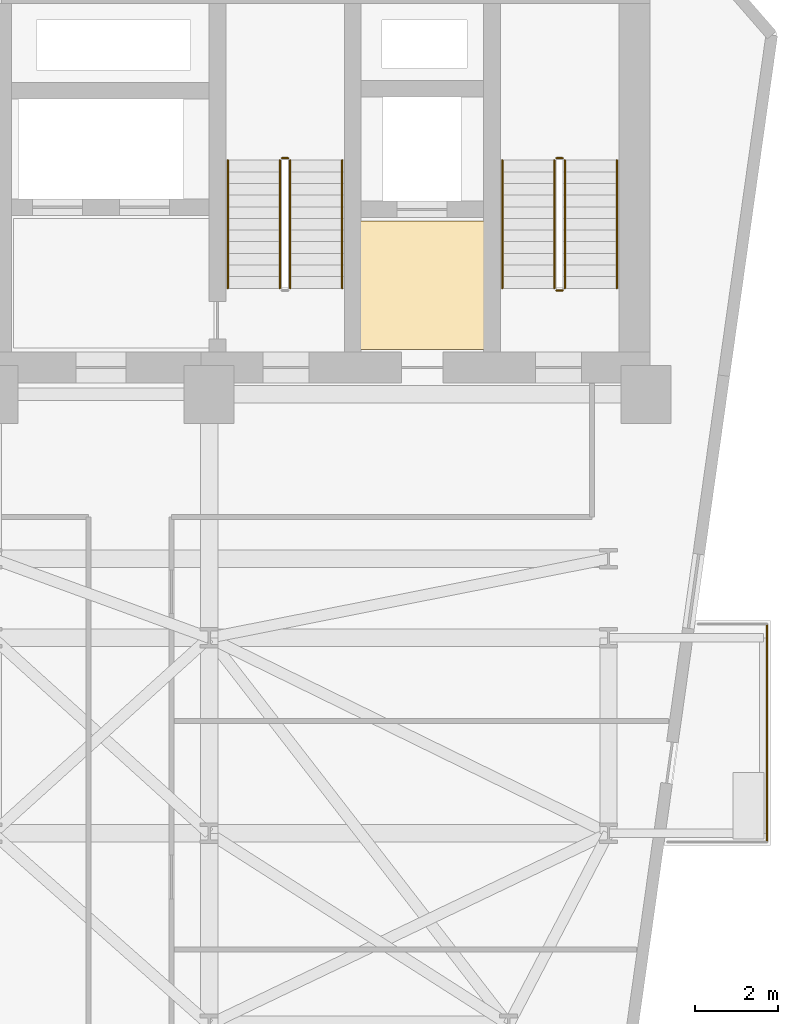
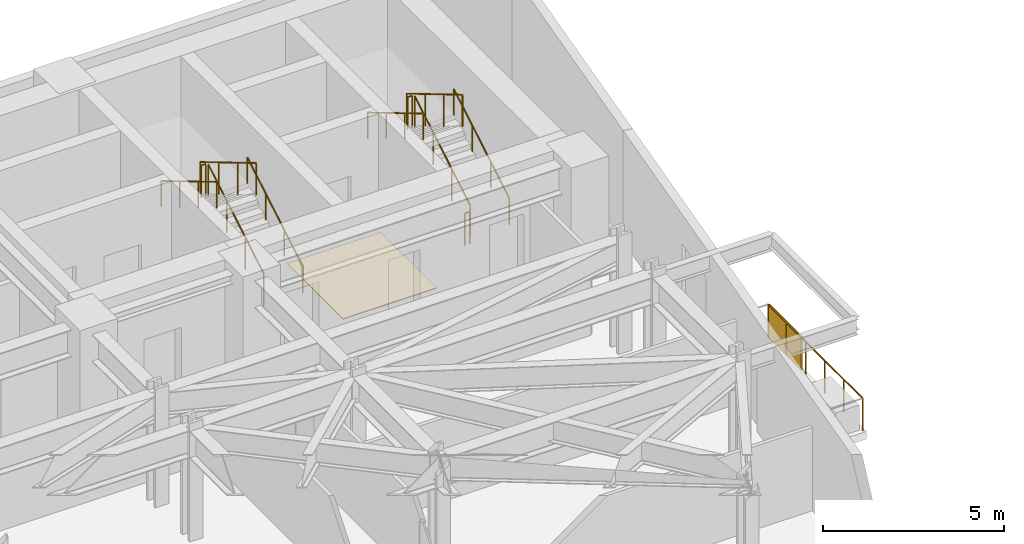
# One storey, part 25 of 25: 12 railings, 1 covering, 1 shading device.
"""IFC4 building model written with IfcOpenShell, lengths in metres."""

from ifc_helpers import new_model, si_unit, direction, frame, origin, origin_2d, place, context, subcontext, project, spatial, polyline, rectangle, circle, outline, extrude, material, layer, layer_set, type_object, element, save


model = new_model("IFC4")

# Units and contexts
model_context = context("Model", 3, precision=1e-05, world=origin(), true_north=direction((0.0, 1.0)))
body_context = subcontext(model_context, "Body", "Model", "MODEL_VIEW")
ifc_project = project(units=[si_unit("LENGTHUNIT", "METRE"), si_unit("AREAUNIT", "SQUARE_METRE"), si_unit("VOLUMEUNIT", "CUBIC_METRE"), si_unit("PLANEANGLEUNIT", "RADIAN"), si_unit("MASSUNIT", "GRAM", prefix="KILO")], contexts=[model_context])

# Site, building, storey
site_placement = place(None, origin())
site = spatial("IfcSite", under=ifc_project, at=site_placement, CompositionType="ELEMENT")
building_placement = place(site_placement, origin())
building = spatial("IfcBuilding", under=site, at=building_placement, Name="Kravanh Interchange Tower", CompositionType="ELEMENT")
storey_placement = place(building_placement, frame((0.0, 0.0, 65.5)))
storey = spatial("IfcBuildingStorey", under=building, at=storey_placement, Name="L15", CompositionType="ELEMENT", Elevation=65.5)

# Covering
ifc_material_1 = material(Name="Cementitious Terrazzo Tile")
ifc_layer_1 = layer(ifc_material_1, 0.030029296875)
ifc_layer_set_1 = layer_set([ifc_layer_1], Name="Honed Terrazzo Lobby Flooring 30mm")
covering_type = type_object("IfcCoveringType", Name="Honed Terrazzo Lobby Flooring 30mm", PredefinedType="FLOORING", material=ifc_layer_set_1)
covering_placement = place(storey_placement, origin())
element("IfcCovering", 1, at=covering_placement, inside=storey, type_object=covering_type, Name="L15 Service Lift Lobby Floor Finish", PredefinedType="FLOORING", context=body_context, shape_type="SweptSolid", body=[
    extrude(outline(polyline([(59.6298828125, 41.52001953125), (62.6201171875, 41.52001953125), (62.6201171875, 38.429931640625), (59.6298828125, 38.429931640625), (59.6298828125, 41.52001953125)])), origin(), (0.0, 0.0, 1.0), 0.030029296875),
])

# Shading device
ifc_material_2 = material(Name="Perforated Anodised Bronze Aluminium", Category="aluminium")
ifc_layer_2 = layer(ifc_material_2, 0.0400390625)
ifc_layer_set_2 = layer_set([ifc_layer_2], Name="Perforated Bronze Balcony Privacy Screen 1150mm")
shading_device_type = type_object("IfcShadingDeviceType", Name="Perforated Bronze Balcony Privacy Screen 1150mm", PredefinedType="USERDEFINED", material=ifc_layer_set_2)
shading_device_placement = place(storey_placement, frame((69.409912109375, 30.860107421875, 0.0), z_axis=(0.0, 0.0, 1.0), x_axis=(1.0, 0.0, 0.0)))
element("IfcShadingDevice", 2, at=shading_device_placement, inside=storey, type_object=shading_device_type, Name="L15 E Perforated Bronze BALCONY SCREEN", ObjectType="SCREEN", PredefinedType="USERDEFINED", context=body_context, shape_type="SweptSolid", body=[
    extrude(rectangle(XDim=0.0400390625, YDim=1.800048828125, at=origin_2d()), origin(), (0.0, 0.0, 1.0), 1.14990234375),
])

# Railings
ifc_material_3 = material(Name="Stainless Steel 316", Category="steel")
ifc_layer_3 = layer(ifc_material_3, 0.06005859375)
ifc_layer_set_3 = layer_set([ifc_layer_3], Name="Perimeter Balcony and Terrace Guardrail Stainless 316 1120mm")
railing_type_1 = type_object("IfcRailingType", Name="Perimeter Balcony and Terrace Guardrail Stainless 316 1120mm", PredefinedType="GUARDRAIL", material=ifc_layer_set_3)
railing_1_placement = place(storey_placement, frame((69.409912109375, 31.830078125, 0.0)))
element("IfcRailing", 3, at=railing_1_placement, inside=storey, type_object=railing_type_1, Name="L15 E Balcony Guardrail 1", PredefinedType="GUARDRAIL", context=body_context, shape_type="SweptSolid", body=[
    extrude(circle(Radius=0.02392578125, at=origin_2d()), frame((0.0, 0.0, 1.09619140625), z_axis=(0.0, -1.0, 0.0), x_axis=(1.0, 0.0, 0.0)), (0.0, 0.0, 1.0), 5.239990234375),
    extrude(circle(Radius=0.02099609375, at=origin_2d()), origin(), (0.0, 0.0, 1.0), 1.072021484375),
    extrude(circle(Radius=0.02099609375, at=origin_2d()), frame((0.0, -1.048095703125, 0.0)), (0.0, 0.0, 1.0), 1.072021484375),
    extrude(circle(Radius=0.02099609375, at=origin_2d()), frame((0.0, -2.095947265625, 0.0)), (0.0, 0.0, 1.0), 1.072021484375),
    extrude(circle(Radius=0.02099609375, at=origin_2d()), frame((0.0, -3.14404296875, 0.0)), (0.0, 0.0, 1.0), 1.072021484375),
    extrude(circle(Radius=0.02099609375, at=origin_2d()), frame((0.0, -4.19189453125, 0.0)), (0.0, 0.0, 1.0), 1.072021484375),
    extrude(circle(Radius=0.02099609375, at=origin_2d()), frame((0.0, -5.239990234375, 0.0)), (0.0, 0.0, 1.0), 1.072021484375),
])
ifc_material_4 = material(Name="Structural Steel S355", Category="steel")
ifc_layer_4 = layer(ifc_material_4, 0.050048828125)
ifc_layer_set_4 = layer_set([ifc_layer_4], Name="Stair Well Guardrail Structural Steel S355 1100mm")
railing_type_2 = type_object("IfcRailingType", Name="Stair Well Guardrail Structural Steel S355 1100mm", PredefinedType="GUARDRAIL", material=ifc_layer_set_4)
railing_2_placement = place(storey_placement, frame((64.550048828125, 39.89990234375, 0.166748046875)))
element("IfcRailing", 4, at=railing_2_placement, inside=storey, type_object=railing_type_2, Name="L15 ST1 stair guard 1", PredefinedType="GUARDRAIL", context=body_context, shape_type="SweptSolid", body=[
    extrude(circle(Radius=0.02392578125, at=origin_2d()), frame((0.0, 0.0, 1.076171875), z_axis=(0.0, 0.859308565015, 0.511457515432), x_axis=(-1.0, 0.0, 0.0)), (0.0, 0.0, 1.0), 3.58447265625),
    extrude(circle(Radius=0.02099609375, at=origin_2d()), origin(), (0.0, 0.0, 1.0), 1.052001953125),
    extrude(circle(Radius=0.02099609375, at=origin_2d()), frame((0.0, 1.026611328125, 0.611083984375)), (0.0, 0.0, 1.0), 1.052001953125),
    extrude(circle(Radius=0.02099609375, at=origin_2d()), frame((0.0, 2.053466796875, 1.22216796875)), (0.0, 0.0, 1.0), 1.052001953125),
    extrude(circle(Radius=0.02099609375, at=origin_2d()), frame((0.0, 3.080078125, 1.833251953125)), (0.0, 0.0, 1.0), 1.052001953125),
])
railing_3_placement = place(storey_placement, frame((64.5, 43.030029296875, 2.0)))
element("IfcRailing", 5, at=railing_3_placement, inside=storey, type_object=railing_type_2, Name="L15 ST1 stair guard 2", PredefinedType="GUARDRAIL", context=body_context, shape_type="SweptSolid", body=[
    extrude(circle(Radius=0.02392578125, at=origin_2d()), frame((0.0, 0.0, 1.076171875), z_axis=(-1.0, 0.0, 0.0), x_axis=(0.0, -1.0, 0.0)), (0.0, 0.0, 1.0), 0.14990234375),
    extrude(circle(Radius=0.02099609375, at=origin_2d()), origin(), (0.0, 0.0, 1.0), 1.052001953125),
    extrude(circle(Radius=0.02099609375, at=origin_2d()), frame((-0.14990234375, 0.0, 0.0)), (0.0, 0.0, 1.0), 1.052001953125),
])
railing_4_placement = place(storey_placement, frame((64.300048828125, 42.97998046875, 2.166748046875)))
element("IfcRailing", 6, at=railing_4_placement, inside=storey, type_object=railing_type_2, Name="L15 ST1 stair guard 3", PredefinedType="GUARDRAIL", context=body_context, shape_type="SweptSolid", body=[
    extrude(circle(Radius=0.02392578125, at=origin_2d()), frame((0.0, 0.0, 1.076171875), z_axis=(0.0, -0.859308565015, 0.511457515432), x_axis=(1.0, 0.0, 0.0)), (0.0, 0.0, 1.0), 3.58447265625),
    extrude(circle(Radius=0.02099609375, at=origin_2d()), origin(), (0.0, 0.0, 1.0), 1.052001953125),
    extrude(circle(Radius=0.02099609375, at=origin_2d()), frame((0.0, -1.026611328125, 0.611083984375)), (0.0, 0.0, 1.0), 1.052001953125),
    extrude(circle(Radius=0.02099609375, at=origin_2d()), frame((0.0, -2.053466796875, 1.22216796875)), (0.0, 0.0, 1.0), 1.052001953125),
    extrude(circle(Radius=0.02099609375, at=origin_2d()), frame((0.0, -3.080078125, 1.833251953125)), (0.0, 0.0, 1.0), 1.052001953125),
])
railing_5_placement = place(storey_placement, frame((64.5, 39.85009765625, 0.0)))
element("IfcRailing", 7, at=railing_5_placement, inside=storey, type_object=railing_type_2, Name="L15 ST1 stair guard 4", PredefinedType="GUARDRAIL", context=body_context, shape_type="SweptSolid", body=[
    extrude(circle(Radius=0.02392578125, at=origin_2d()), frame((0.0, 0.0, 1.076171875), z_axis=(-1.0, 0.0, 0.0), x_axis=(0.0, -1.0, 0.0)), (0.0, 0.0, 1.0), 0.14990234375),
    extrude(circle(Radius=0.02099609375, at=origin_2d()), origin(), (0.0, 0.0, 1.0), 1.052001953125),
    extrude(circle(Radius=0.02099609375, at=origin_2d()), frame((-0.14990234375, 0.0, 0.0)), (0.0, 0.0, 1.0), 1.052001953125),
])
railing_6_placement = place(storey_placement, frame((57.949951171875, 39.89990234375, 0.166748046875)))
element("IfcRailing", 8, at=railing_6_placement, inside=storey, type_object=railing_type_2, Name="L15 ST2 stair guard 1", PredefinedType="GUARDRAIL", context=body_context, shape_type="SweptSolid", body=[
    extrude(circle(Radius=0.02392578125, at=origin_2d()), frame((0.0, 0.0, 1.076171875), z_axis=(0.0, 0.859308565015, 0.511457515432), x_axis=(-1.0, 0.0, 0.0)), (0.0, 0.0, 1.0), 3.58447265625),
    extrude(circle(Radius=0.02099609375, at=origin_2d()), origin(), (0.0, 0.0, 1.0), 1.052001953125),
    extrude(circle(Radius=0.02099609375, at=origin_2d()), frame((0.0, 1.026611328125, 0.611083984375)), (0.0, 0.0, 1.0), 1.052001953125),
    extrude(circle(Radius=0.02099609375, at=origin_2d()), frame((0.0, 2.053466796875, 1.22216796875)), (0.0, 0.0, 1.0), 1.052001953125),
    extrude(circle(Radius=0.02099609375, at=origin_2d()), frame((0.0, 3.080078125, 1.833251953125)), (0.0, 0.0, 1.0), 1.052001953125),
])
railing_7_placement = place(storey_placement, frame((57.89990234375, 43.030029296875, 2.0)))
element("IfcRailing", 9, at=railing_7_placement, inside=storey, type_object=railing_type_2, Name="L15 ST2 stair guard 2", PredefinedType="GUARDRAIL", context=body_context, shape_type="SweptSolid", body=[
    extrude(circle(Radius=0.02392578125, at=origin_2d()), frame((0.0, 0.0, 1.076171875), z_axis=(-1.0, 0.0, 0.0), x_axis=(0.0, -1.0, 0.0)), (0.0, 0.0, 1.0), 0.14990234375),
    extrude(circle(Radius=0.02099609375, at=origin_2d()), origin(), (0.0, 0.0, 1.0), 1.052001953125),
    extrude(circle(Radius=0.02099609375, at=origin_2d()), frame((-0.14990234375, 0.0, 0.0)), (0.0, 0.0, 1.0), 1.052001953125),
])
railing_8_placement = place(storey_placement, frame((57.699951171875, 42.97998046875, 2.166748046875)))
element("IfcRailing", 10, at=railing_8_placement, inside=storey, type_object=railing_type_2, Name="L15 ST2 stair guard 3", PredefinedType="GUARDRAIL", context=body_context, shape_type="SweptSolid", body=[
    extrude(circle(Radius=0.02392578125, at=origin_2d()), frame((0.0, 0.0, 1.076171875), z_axis=(0.0, -0.859308565015, 0.511457515432), x_axis=(1.0, 0.0, 0.0)), (0.0, 0.0, 1.0), 3.58447265625),
    extrude(circle(Radius=0.02099609375, at=origin_2d()), origin(), (0.0, 0.0, 1.0), 1.052001953125),
    extrude(circle(Radius=0.02099609375, at=origin_2d()), frame((0.0, -1.026611328125, 0.611083984375)), (0.0, 0.0, 1.0), 1.052001953125),
    extrude(circle(Radius=0.02099609375, at=origin_2d()), frame((0.0, -2.053466796875, 1.22216796875)), (0.0, 0.0, 1.0), 1.052001953125),
    extrude(circle(Radius=0.02099609375, at=origin_2d()), frame((0.0, -3.080078125, 1.833251953125)), (0.0, 0.0, 1.0), 1.052001953125),
])
ifc_material_5 = material(Name="Stainless Steel 304", Category="steel")
ifc_layer_5 = layer(ifc_material_5, 0.044921875)
ifc_layer_set_5 = layer_set([ifc_layer_5], Name="Tubular Stair Handrail Stainless 304 900mm")
railing_type_3 = type_object("IfcRailingType", Name="Tubular Stair Handrail Stainless 304 900mm", PredefinedType="HANDRAIL", material=ifc_layer_set_5)
railing_9_placement = place(storey_placement, frame((65.800048828125, 39.89990234375, 0.166748046875)))
element("IfcRailing", 11, at=railing_9_placement, inside=storey, type_object=railing_type_3, Name="L15 ST1 stair handrail 1", PredefinedType="HANDRAIL", context=body_context, shape_type="SweptSolid", body=[
    extrude(circle(Radius=0.02392578125, at=origin_2d()), frame((0.0, 0.0, 0.8759765625), z_axis=(0.0, 0.859308565015, 0.511457515432), x_axis=(-1.0, 0.0, 0.0)), (0.0, 0.0, 1.0), 3.58447265625),
    extrude(circle(Radius=0.02099609375, at=origin_2d()), origin(), (0.0, 0.0, 1.0), 0.851806640625),
    extrude(circle(Radius=0.02099609375, at=origin_2d()), frame((0.0, 1.026611328125, 0.611083984375)), (0.0, 0.0, 1.0), 0.851806640625),
    extrude(circle(Radius=0.02099609375, at=origin_2d()), frame((0.0, 2.053466796875, 1.22216796875)), (0.0, 0.0, 1.0), 0.851806640625),
    extrude(circle(Radius=0.02099609375, at=origin_2d()), frame((0.0, 3.080078125, 1.833251953125)), (0.0, 0.0, 1.0), 0.851806640625),
])
railing_10_placement = place(storey_placement, frame((63.050048828125, 42.97998046875, 2.166748046875)))
element("IfcRailing", 12, at=railing_10_placement, inside=storey, type_object=railing_type_3, Name="L15 ST1 stair handrail 2", PredefinedType="HANDRAIL", context=body_context, shape_type="SweptSolid", body=[
    extrude(circle(Radius=0.02392578125, at=origin_2d()), frame((0.0, 0.0, 0.8759765625), z_axis=(0.0, -0.859308565015, 0.511457515432), x_axis=(1.0, 0.0, 0.0)), (0.0, 0.0, 1.0), 3.58447265625),
    extrude(circle(Radius=0.02099609375, at=origin_2d()), origin(), (0.0, 0.0, 1.0), 0.851806640625),
    extrude(circle(Radius=0.02099609375, at=origin_2d()), frame((0.0, -1.026611328125, 0.611083984375)), (0.0, 0.0, 1.0), 0.851806640625),
    extrude(circle(Radius=0.02099609375, at=origin_2d()), frame((0.0, -2.053466796875, 1.22216796875)), (0.0, 0.0, 1.0), 0.851806640625),
    extrude(circle(Radius=0.02099609375, at=origin_2d()), frame((0.0, -3.080078125, 1.833251953125)), (0.0, 0.0, 1.0), 0.851806640625),
])
railing_11_placement = place(storey_placement, frame((59.199951171875, 39.89990234375, 0.166748046875)))
element("IfcRailing", 13, at=railing_11_placement, inside=storey, type_object=railing_type_3, Name="L15 ST2 stair handrail 1", PredefinedType="HANDRAIL", context=body_context, shape_type="SweptSolid", body=[
    extrude(circle(Radius=0.02392578125, at=origin_2d()), frame((0.0, 0.0, 0.8759765625), z_axis=(0.0, 0.859308565015, 0.511457515432), x_axis=(-1.0, 0.0, 0.0)), (0.0, 0.0, 1.0), 3.58447265625),
    extrude(circle(Radius=0.02099609375, at=origin_2d()), origin(), (0.0, 0.0, 1.0), 0.851806640625),
    extrude(circle(Radius=0.02099609375, at=origin_2d()), frame((0.0, 1.026611328125, 0.611083984375)), (0.0, 0.0, 1.0), 0.851806640625),
    extrude(circle(Radius=0.02099609375, at=origin_2d()), frame((0.0, 2.053466796875, 1.22216796875)), (0.0, 0.0, 1.0), 0.851806640625),
    extrude(circle(Radius=0.02099609375, at=origin_2d()), frame((0.0, 3.080078125, 1.833251953125)), (0.0, 0.0, 1.0), 0.851806640625),
])
railing_12_placement = place(storey_placement, frame((56.449951171875, 42.97998046875, 2.166748046875)))
element("IfcRailing", 14, at=railing_12_placement, inside=storey, type_object=railing_type_3, Name="L15 ST2 stair handrail 2", PredefinedType="HANDRAIL", context=body_context, shape_type="SweptSolid", body=[
    extrude(circle(Radius=0.02392578125, at=origin_2d()), frame((0.0, 0.0, 0.8759765625), z_axis=(0.0, -0.859308565015, 0.511457515432), x_axis=(1.0, 0.0, 0.0)), (0.0, 0.0, 1.0), 3.58447265625),
    extrude(circle(Radius=0.02099609375, at=origin_2d()), origin(), (0.0, 0.0, 1.0), 0.851806640625),
    extrude(circle(Radius=0.02099609375, at=origin_2d()), frame((0.0, -1.026611328125, 0.611083984375)), (0.0, 0.0, 1.0), 0.851806640625),
    extrude(circle(Radius=0.02099609375, at=origin_2d()), frame((0.0, -2.053466796875, 1.22216796875)), (0.0, 0.0, 1.0), 0.851806640625),
    extrude(circle(Radius=0.02099609375, at=origin_2d()), frame((0.0, -3.080078125, 1.833251953125)), (0.0, 0.0, 1.0), 0.851806640625),
])

save(model, "model.ifc")
